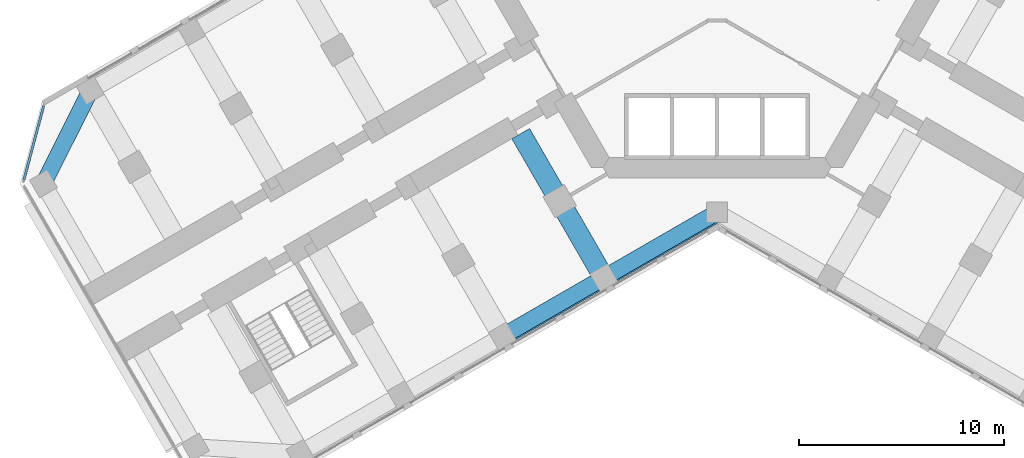
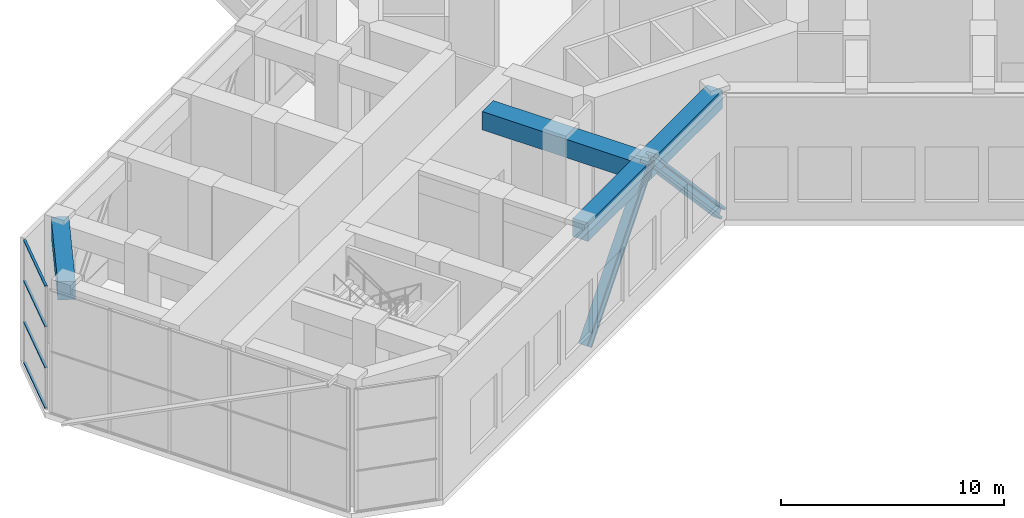
# One storey, part 3 of 17: 6 members, 4 beams, 1 element without a shape of its own.
"""IFC4 building model written with IfcOpenShell, lengths in metres."""

import ifcopenshell
import ifcopenshell.guid

model = None  # the IFC model being written
_history = None  # IfcOwnerHistory: only IFC2X3 demands one
_inside = {}  # id of a spatial element -> (the spatial element, [elements in it])
_under = {}  # id of a project, library or spatial element -> (it, [spatial elements below it])
_declared = {}  # id of a project -> (the project, [libraries it declares])
_typed = {}  # id of a type object -> (the type object, [elements of that type])
_made_of = {}  # id of a material, layer set ... -> (it, [elements and type objects made of it])


def new_model(schema):
    """Start an empty IFC model of exactly this schema.

    Asked for "IFC4X3", IfcOpenShell would pick the latest addendum, in which some entities
    have other attributes; the version numbers below select the first issue.
    IFC2X3 requires an IfcOwnerHistory on every rooted entity: one is made here for all.
    """
    global model, _history
    if schema == "IFC4X3":
        model = ifcopenshell.file(schema_version=(4, 3, 0, 0))
    else:
        model = ifcopenshell.file(schema=schema)
    _inside.clear()
    _under.clear()
    _declared.clear()
    _typed.clear()
    _made_of.clear()
    _history = None
    if model.schema == "IFC2X3":
        org = make("IfcOrganization", Name="unknown")
        user = make(
            "IfcPersonAndOrganization",
            ThePerson=make("IfcPerson", FamilyName="unknown"),
            TheOrganization=org,
        )
        app = make(
            "IfcApplication",
            ApplicationDeveloper=org,
            Version="unknown",
            ApplicationFullName="unknown",
            ApplicationIdentifier="unknown",
        )
        _history = make(
            "IfcOwnerHistory",
            OwningUser=user,
            OwningApplication=app,
            ChangeAction="ADDED",
            CreationDate=0,
        )
    return model


def make(cls, **values):
    """One entity of the class cls with the attributes given. An attribute that is None is left unset."""
    return model.create_entity(
        cls, **{name: value for name, value in values.items() if value is not None}
    )


def rooted(cls, **values):
    """An entity with a GlobalId (a new one), such as an element, a storey or a relation."""
    return make(cls, GlobalId=ifcopenshell.guid.new(), OwnerHistory=_history, **values)


def si_unit(unit_type, name, prefix=None):
    """IfcSIUnit, for example si_unit("LENGTHUNIT", "METRE", prefix="MILLI")."""
    return make("IfcSIUnit", UnitType=unit_type, Prefix=prefix, Name=name)


def assignment(units):
    """IfcUnitAssignment: the units of a project."""
    return None if units is None else make("IfcUnitAssignment", Units=units)


def point(xyz):
    """IfcCartesianPoint."""
    return None if xyz is None else make("IfcCartesianPoint", Coordinates=xyz)


def direction(xyz):
    """IfcDirection."""
    return None if xyz is None else make("IfcDirection", DirectionRatios=xyz)


def frame(location, z_axis=None, x_axis=None):
    """IfcAxis2Placement3D, a coordinate frame: its origin and axes. An axis left out is left unset."""
    return make(
        "IfcAxis2Placement3D",
        Location=point(location),
        Axis=direction(z_axis),
        RefDirection=direction(x_axis),
    )


def frame_2d(location, x_axis=None):
    """IfcAxis2Placement2D, a coordinate frame in the plane: its origin and x axis."""
    return make(
        "IfcAxis2Placement2D", Location=point(location), RefDirection=direction(x_axis)
    )


def origin():
    """The frame at (0, 0, 0) with its axes left unset."""
    return frame((0.0, 0.0, 0.0))


def origin_2d():
    """The frame at (0, 0) in the plane with its x axis left unset."""
    return frame_2d((0.0, 0.0))


def place(relative_to, where):
    """IfcLocalPlacement: puts the frame where relative to a parent placement (None: the world)."""
    return make(
        "IfcLocalPlacement", PlacementRelTo=relative_to, RelativePlacement=where
    )


def context(
    kind, dimensions, precision=None, world=None, true_north=None, identifier=None
):
    """IfcGeometricRepresentationContext, for example the 3D "Model" context."""
    return make(
        "IfcGeometricRepresentationContext",
        ContextIdentifier=identifier,
        ContextType=kind,
        CoordinateSpaceDimension=dimensions,
        Precision=precision,
        WorldCoordinateSystem=world,
        TrueNorth=true_north,
    )


def subcontext(parent, identifier, kind, view, scale=None):
    """IfcGeometricRepresentationSubContext, for example "Body" below "Model"."""
    return make(
        "IfcGeometricRepresentationSubContext",
        ContextIdentifier=identifier,
        ContextType=kind,
        ParentContext=parent,
        TargetScale=scale,
        TargetView=view,
    )


def project(units=None, contexts=None):
    """IfcProject with its units and contexts."""
    return rooted(
        "IfcProject",
        Name="project",
        RepresentationContexts=contexts,
        UnitsInContext=assignment(units),
    )


def spatial(cls, under=None, at=None, **own):
    """A site, building, storey or space (cls), placed at a placement, below another one or the project."""
    s = rooted(cls, ObjectPlacement=at, **own)
    if under is not None:
        _under.setdefault(under.id(), (under, []))[1].append(s)
    return s


def profile(cls, at=None, kind="AREA", **sizes):
    """A parametric profile (cls). Its sizes go by their IFC names, for example OverallWidth=200.0."""
    return make(cls, ProfileType=kind, Position=at, **sizes)


def rectangle(**sizes):
    """IfcRectangleProfileDef."""
    return profile("IfcRectangleProfileDef", **sizes)


def i_section(**sizes):
    """IfcIShapeProfileDef."""
    return profile("IfcIShapeProfileDef", **sizes)


def extrude(swept, where, along, depth):
    """IfcExtrudedAreaSolid: the profile swept, set in the frame where, extruded along a direction by depth."""
    return make(
        "IfcExtrudedAreaSolid",
        SweptArea=swept,
        Position=where,
        ExtrudedDirection=direction(along),
        Depth=depth,
    )


def shape(context_of_items, identifier, shape_type, items):
    """IfcShapeRepresentation: the items that make up one representation, for example the "Body"."""
    return make(
        "IfcShapeRepresentation",
        ContextOfItems=context_of_items,
        RepresentationIdentifier=identifier,
        RepresentationType=shape_type,
        Items=items,
    )


def material(Name=None, Category=None):
    """IfcMaterial."""
    return make("IfcMaterial", Name=Name, Category=Category)


def material_profile(
    of_material, cross_section, Name=None, Category=None, Priority=None
):
    """IfcMaterialProfile: a cross section and its material."""
    return make(
        "IfcMaterialProfile",
        Name=Name,
        Material=of_material,
        Profile=cross_section,
        Priority=Priority,
        Category=Category,
    )


def profile_set(profiles, Name=None, composite=None):
    """IfcMaterialProfileSet."""
    return make(
        "IfcMaterialProfileSet",
        Name=Name,
        MaterialProfiles=profiles,
        CompositeProfile=composite,
    )


def made_of(thing, what):
    """Note that an element or type object is made of a material, layer set ...; save() writes the relation."""
    if what is not None:
        _made_of.setdefault(what.id(), (what, []))[1].append(thing)
    return thing


def type_object(cls, material=None, **own):
    """A type object (cls), such as IfcWallType, which elements share."""
    return made_of(rooted(cls, **own), material)


def element(
    cls,
    number,
    at=None,
    inside=None,
    cuts=None,
    type_object=None,
    material=None,
    context=None,
    identifier="Body",
    shape_type=None,
    held_by="IfcProductDefinitionShape",
    body=None,
    shapes=None,
    **own,
):
    """One element of the class cls, such as IfcWall. Its Tag is "e" and its number.

    at: its placement. inside: the storey or other place that contains it. cuts: it is an
    opening in that element (IfcRelVoidsElement). A single representation is given by context,
    identifier, shape_type and body (its items); several are given by shapes. held_by: the class
    of the entity that holds the representations. save() writes the other relations.
    """
    e = rooted(cls, Tag="e%d" % number, ObjectPlacement=at, **own)
    if body is not None:
        shapes = [shape(context, identifier, shape_type, body)]
    if shapes is not None:
        e.Representation = make(held_by, Representations=shapes)
    if inside is not None:
        _inside.setdefault(inside.id(), (inside, []))[1].append(e)
    if cuts is not None:
        rooted(
            "IfcRelVoidsElement", RelatingBuildingElement=cuts, RelatedOpeningElement=e
        )
    if type_object is not None:
        _typed.setdefault(type_object.id(), (type_object, []))[1].append(e)
    return made_of(e, material)


def aggregate(whole, parts):
    """IfcRelAggregates: a whole, such as a stair, and the parts it consists of."""
    return rooted("IfcRelAggregates", RelatingObject=whole, RelatedObjects=parts)


def save(model, path):
    """Write the relations noted so far, then the file.

    IfcRelAggregates (storeys below a building ...), IfcRelContainedInSpatialStructure (elements
    in a storey), IfcRelDefinesByType, IfcRelAssociatesMaterial and IfcRelDeclares: one each for
    every whole, place, type object, material and project.
    """
    for whole, parts in _under.values():
        aggregate(whole, parts)
    for where, things in _inside.values():
        rooted(
            "IfcRelContainedInSpatialStructure",
            RelatedElements=things,
            RelatingStructure=where,
        )
    for kind, things in _typed.values():
        rooted("IfcRelDefinesByType", RelatedObjects=things, RelatingType=kind)
    for what, things in _made_of.values():
        rooted("IfcRelAssociatesMaterial", RelatedObjects=things, RelatingMaterial=what)
    for by, libraries in _declared.values():
        rooted("IfcRelDeclares", RelatingContext=by, RelatedDefinitions=libraries)
    model.write(path)


model = new_model("IFC4")

# Units and contexts
model_context = context("Model", 3, precision=1e-05, world=origin(), true_north=direction((0.0, 1.0)))
body_context = subcontext(model_context, "Body", "Model", "MODEL_VIEW")
ifc_project = project(units=[si_unit("LENGTHUNIT", "METRE"), si_unit("AREAUNIT", "SQUARE_METRE"), si_unit("VOLUMEUNIT", "CUBIC_METRE"), si_unit("PLANEANGLEUNIT", "RADIAN"), si_unit("MASSUNIT", "GRAM", prefix="KILO")], contexts=[model_context])

# Site, building, storey
site_placement = place(None, origin())
site = spatial("IfcSite", under=ifc_project, at=site_placement, CompositionType="ELEMENT")
building_placement = place(site_placement, origin())
building = spatial("IfcBuilding", under=site, at=building_placement, Name="Kosmar Iwan School Tower", CompositionType="ELEMENT")
storey_placement = place(building_placement, frame((0.0, 0.0, 113.199951171875)))
storey = spatial("IfcBuildingStorey", under=building, at=storey_placement, Name="L28", CompositionType="ELEMENT", Elevation=113.199951171875)

# Members
ifc_material_1 = material(Name="Steel S355", Category="steel")
ifc_material_profile_1 = material_profile(ifc_material_1, i_section(OverallWidth=0.4541015625, OverallDepth=0.569091796875, WebThickness=0.077880859375, FlangeThickness=0.125, FilletRadius=0.014892578125, at=origin_2d()), Name="HD 400x1086")
ifc_profile_set_1 = profile_set([ifc_material_profile_1], Name="Steel S355")
member_type_1 = type_object("IfcMemberType", Name="Belt truss diagonal HD 400x1086", PredefinedType="BRACE", material=ifc_profile_set_1)
member_1_placement = place(storey_placement, frame((0.12158203125, -11.98828125, 0.0), z_axis=(-0.592053277807, -0.341839660666, 0.729807209223), x_axis=(0.500019243575, -0.866014293216, 0.0)))
element("IfcMember", 1, at=member_1_placement, inside=storey, type_object=member_type_1, Name="Belt truss diagonal BL1", PredefinedType="BRACE", context=body_context, shape_type="SweptSolid", body=[
    extrude(i_section(OverallWidth=0.4541015625, OverallDepth=0.569091796875, WebThickness=0.077880859375, FlangeThickness=0.125, FilletRadius=0.014892578125, at=origin_2d()), origin(), (0.0, 0.0, 1.0), 9.304443359375),
])
member_2_placement = place(storey_placement, frame((-5.38720703125, -15.1689453125, 6.79052734375), z_axis=(-0.556805965023, -0.321443918384, -0.765924881858), x_axis=(0.499967155389, -0.866044365799, 0.0)))
element("IfcMember", 2, at=member_2_placement, inside=storey, type_object=member_type_1, Name="Belt truss diagonal BL2", PredefinedType="BRACE", context=body_context, shape_type="SweptSolid", body=[
    extrude(i_section(OverallWidth=0.4541015625, OverallDepth=0.569091796875, WebThickness=0.077880859375, FlangeThickness=0.125, FilletRadius=0.014892578125, at=origin_2d()), origin(), (0.0, 0.0, 1.0), 8.86572265625),
])

# Beams
ifc_material_2 = material(Name="Concrete C50/60", Category="concrete")
ifc_material_profile_2 = material_profile(ifc_material_2, rectangle(XDim=0.800048828125, YDim=1.0, at=origin_2d()), Name="RC 800x1000 + HD 400x634")
ifc_profile_set_2 = profile_set([ifc_material_profile_2], Name="Concrete C50/60")
beam_type_1 = type_object("IfcBeamType", Name="Composite edge beam 800x1000 HD 400x634", PredefinedType="BEAM", material=ifc_profile_set_2)
beam_1_placement = place(storey_placement, frame((0.0, -11.77783203125, 6.25), z_axis=(-0.866014293216, -0.500019243575, 0.0), x_axis=(0.500019243575, -0.866014293216, 0.0)))
element("IfcBeam", 3, at=beam_1_placement, inside=storey, type_object=beam_type_1, Name="Edge beam BL1", PredefinedType="BEAM", context=body_context, shape_type="SweptSolid", body=[
    extrude(rectangle(XDim=0.800048828125, YDim=1.0, at=origin_2d()), origin(), (0.0, 0.0, 1.0), 6.361083984375),
])
beam_2_placement = place(storey_placement, frame((-5.5087890625, -14.95849609375, 6.25), z_axis=(-0.866033658841, -0.49998570155, 0.0), x_axis=(0.49998570155, -0.866033658841, 0.0)))
element("IfcBeam", 4, at=beam_2_placement, inside=storey, type_object=beam_type_1, Name="Edge beam BL2", PredefinedType="BEAM", context=body_context, shape_type="SweptSolid", body=[
    extrude(rectangle(XDim=0.800048828125, YDim=1.0, at=origin_2d()), origin(), (0.0, 0.0, 1.0), 5.699951171875),
])
ifc_material_3 = material(Name="Concrete C50/60", Category="concrete")
ifc_material_profile_3 = material_profile(ifc_material_3, rectangle(XDim=1.0, YDim=1.0, at=origin_2d()), Name="RC 1000x1000 + HD 400x347")
ifc_profile_set_3 = profile_set([ifc_material_profile_3], Name="Concrete C50/60")
beam_type_2 = type_object("IfcBeamType", Name="Composite transverse beam 1000x1000 HD 400x347", PredefinedType="BEAM", material=ifc_profile_set_3)
beam_3_placement = place(storey_placement, frame((-5.5087890625, -14.95849609375, 6.25), z_axis=(-0.499999880539, 0.866025472755, 0.0), x_axis=(-0.866025472755, -0.499999880539, 0.0)))
element("IfcBeam", 5, at=beam_3_placement, inside=storey, type_object=beam_type_2, Name="Transverse beam BL1", PredefinedType="BEAM", context=body_context, shape_type="SweptSolid", body=[
    extrude(rectangle(XDim=1.0, YDim=1.0, at=origin_2d()), origin(), (0.0, 0.0, 1.0), 8.10009765625),
])
ifc_material_4 = material(Name="Concrete C50/60", Category="concrete")
ifc_material_profile_4 = material_profile(ifc_material_4, rectangle(XDim=0.800048828125, YDim=1.0, at=origin_2d()), Name="RC 800x1000")
ifc_profile_set_4 = profile_set([ifc_material_profile_4], Name="Concrete C50/60")
beam_type_3 = type_object("IfcBeamType", Name="RC tip beam 800x1000", PredefinedType="BEAM", material=ifc_profile_set_4)
beam_4_placement = place(storey_placement, frame((-30.517822265625, -5.841552734375, 6.25), z_axis=(-0.44809604203, -0.893985423325, 0.0), x_axis=(0.893985423325, -0.44809604203, 0.0)))
element("IfcBeam", 6, at=beam_4_placement, inside=storey, type_object=beam_type_3, Name="Tip beam BR", PredefinedType="BEAM", context=body_context, shape_type="SweptSolid", body=[
    extrude(rectangle(XDim=0.800048828125, YDim=1.0, at=origin_2d()), origin(), (0.0, 0.0, 1.0), 5.08935546875),
])

# Curtain wall, members
ifc_material_5 = material(Name="Dark glass in black aluminium frame", Category="aluminium")
curtain_wall_type = type_object("IfcCurtainWallType", Name="Chamfer curtain wall dark glass", PredefinedType="USERDEFINED", material=ifc_material_5)
curtain_wall_placement = place(storey_placement, origin())
curtain_wall = element("IfcCurtainWall", 7, at=curtain_wall_placement, inside=storey, type_object=curtain_wall_type, Name="Curtain wall L28-F12", ObjectType="FACETED CURTAIN WALL", PredefinedType="USERDEFINED")
ifc_material_6 = material(Name="Black anodised aluminium", Category="aluminium")
ifc_material_profile_5 = material_profile(ifc_material_6, rectangle(XDim=0.1201171875, YDim=0.06005859375, at=origin_2d()), Name="TRANSOM 60x120")
ifc_profile_set_5 = profile_set([ifc_material_profile_5], Name="Black anodised aluminium")
member_type_2 = type_object("IfcMemberType", Name="Transom 60x120", PredefinedType="USERDEFINED", material=ifc_profile_set_5)
member_3_placement = place(storey_placement, frame((-32.788330078125, -6.602294921875, 0.030029296875), z_axis=(-0.258843273983, -0.965919333854, 0.0), x_axis=(0.965919333854, -0.258843273983, 0.0)))
member_3 = element("IfcMember", 8, at=member_3_placement, type_object=member_type_2, Name="CW2 transom 1.1", ObjectType="TRANSOM", PredefinedType="USERDEFINED", context=body_context, shape_type="SweptSolid", body=[
    extrude(rectangle(XDim=0.1201171875, YDim=0.06005859375, at=origin_2d()), origin(), (0.0, 0.0, 1.0), 3.718994140625),
])
member_4_placement = place(storey_placement, frame((-32.788330078125, -6.602294921875, 2.25), z_axis=(-0.258843273983, -0.965919333854, 0.0), x_axis=(0.965919333854, -0.258843273983, 0.0)))
member_4 = element("IfcMember", 9, at=member_4_placement, type_object=member_type_2, Name="CW2 transom 1.2", ObjectType="TRANSOM", PredefinedType="USERDEFINED", context=body_context, shape_type="SweptSolid", body=[
    extrude(rectangle(XDim=0.1201171875, YDim=0.06005859375, at=origin_2d()), origin(), (0.0, 0.0, 1.0), 3.718994140625),
])
member_5_placement = place(storey_placement, frame((-32.788330078125, -6.602294921875, 4.5), z_axis=(-0.258843273983, -0.965919333854, 0.0), x_axis=(0.965919333854, -0.258843273983, 0.0)))
member_5 = element("IfcMember", 10, at=member_5_placement, type_object=member_type_2, Name="CW2 transom 1.3", ObjectType="TRANSOM", PredefinedType="USERDEFINED", context=body_context, shape_type="SweptSolid", body=[
    extrude(rectangle(XDim=0.1201171875, YDim=0.06005859375, at=origin_2d()), origin(), (0.0, 0.0, 1.0), 3.718994140625),
])
member_6_placement = place(storey_placement, frame((-32.788330078125, -6.602294921875, 6.719970703125), z_axis=(-0.258843273983, -0.965919333854, 0.0), x_axis=(0.965919333854, -0.258843273983, 0.0)))
member_6 = element("IfcMember", 11, at=member_6_placement, type_object=member_type_2, Name="CW2 transom 1.4", ObjectType="TRANSOM", PredefinedType="USERDEFINED", context=body_context, shape_type="SweptSolid", body=[
    extrude(rectangle(XDim=0.1201171875, YDim=0.06005859375, at=origin_2d()), origin(), (0.0, 0.0, 1.0), 3.718994140625),
])
aggregate(curtain_wall, [member_3, member_4, member_5, member_6])

save(model, "model.ifc")
